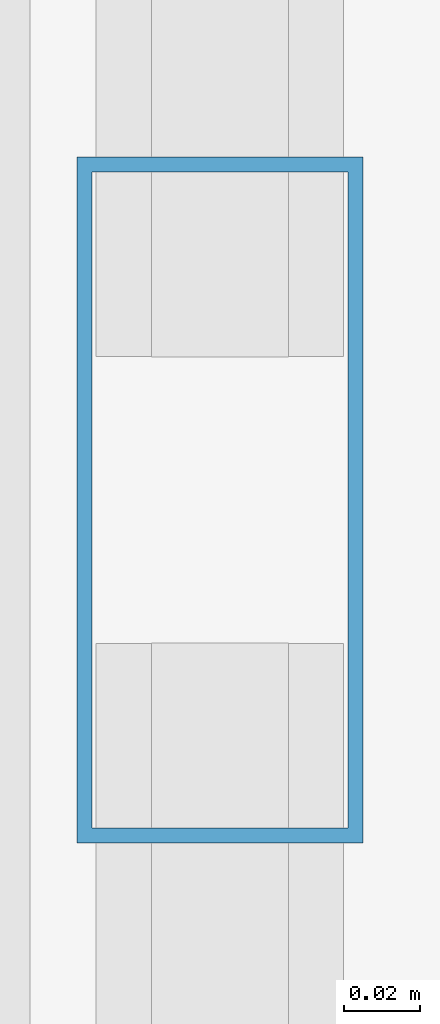
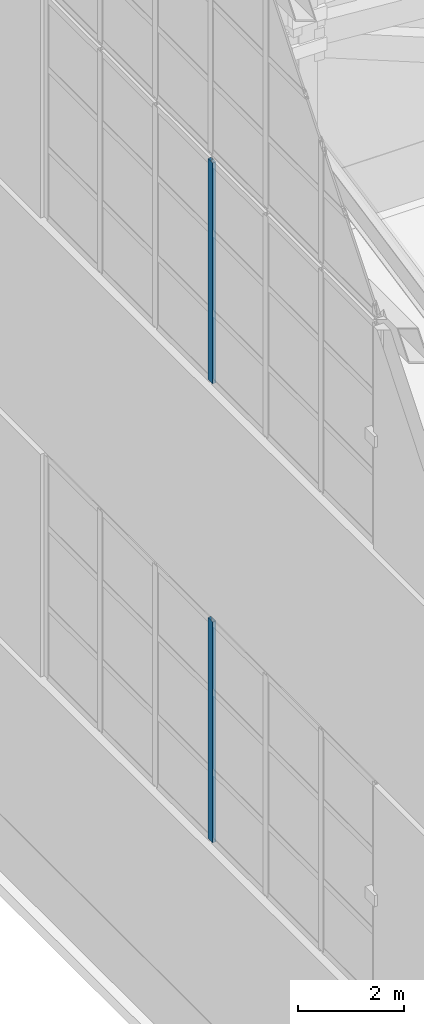
# One storey, part 11 of 47: 2 members, 2 elements without a shape of their own.
"""IFC4 building model written with IfcOpenShell, lengths in metres."""

from ifc_helpers import new_model, si_unit, direction, frame, origin, origin_2d, place, context, subcontext, project, spatial, hollow_rectangle, extrude, material, layer, layer_set, material_profile, profile_set, type_object, element, aggregate, save


model = new_model("IFC4")

# Units and contexts
model_context = context("Model", 3, precision=1e-05, world=origin(), true_north=direction((0.0, 1.0)))
body_context = subcontext(model_context, "Body", "Model", "MODEL_VIEW")
ifc_project = project(units=[si_unit("LENGTHUNIT", "METRE"), si_unit("AREAUNIT", "SQUARE_METRE"), si_unit("VOLUMEUNIT", "CUBIC_METRE"), si_unit("PLANEANGLEUNIT", "RADIAN"), si_unit("MASSUNIT", "GRAM", prefix="KILO")], contexts=[model_context])

# Site, building, storey
site_placement = place(None, origin())
site = spatial("IfcSite", under=ifc_project, at=site_placement, CompositionType="ELEMENT")
building_placement = place(site_placement, origin())
building = spatial("IfcBuilding", under=site, at=building_placement, Name="Qiaolan Cultural Towers", CompositionType="ELEMENT")
storey_placement = place(building_placement, frame((0.0, 0.0, 280.199951171875)))
storey = spatial("IfcBuildingStorey", under=building, at=storey_placement, Name="RF", CompositionType="ELEMENT", Elevation=280.199951171875)

# Curtain wall, member
ifc_material_1 = material(Name="Unitized Anodized Aluminium Curtain Wall System", Category="aluminium")
ifc_layer = layer(ifc_material_1, 0.199951171875)
ifc_layer_set = layer_set([ifc_layer], Name="Unitized Anodized Aluminium Curtain Wall System")
curtain_wall_type = type_object("IfcCurtainWallType", Name="CWS-06", PredefinedType="NOTDEFINED", material=ifc_layer_set)
curtain_wall_1_placement = place(storey_placement, origin())
curtain_wall_1 = element("IfcCurtainWall", 1, at=curtain_wall_1_placement, inside=storey, type_object=curtain_wall_type, Name="T1 Crown Tier 2 Fritted Screen Curtain Wall 7", PredefinedType="NOTDEFINED")
ifc_material_2 = material(Name="Extruded Aluminium 6063-T6", Category="aluminium")
ifc_material_profile = material_profile(ifc_material_2, hollow_rectangle(XDim=0.074951171875, YDim=0.179931640625, WallThickness=0.00390625, at=origin_2d()), Name="CWM-180x75x4")
ifc_profile_set = profile_set([ifc_material_profile], Name="Extruded Aluminium 6063-T6")
member_type = type_object("IfcMemberType", Name="CWS-06-MUL", PredefinedType="MULLION", material=ifc_profile_set)
member_1_placement = place(storey_placement, frame((14.949951171875, 34.0, 5.400146484375), z_axis=(0.0, 0.0, 1.0), x_axis=(1.0, 0.0, 0.0)))
member_1 = element("IfcMember", 2, at=member_1_placement, type_object=member_type, Name="CW-6 mullion 4", PredefinedType="MULLION", context=body_context, shape_type="SweptSolid", body=[
    extrude(hollow_rectangle(XDim=0.074951171875, YDim=0.179931640625, WallThickness=0.00390625, at=origin_2d()), origin(), (0.0, 0.0, 1.0), 5.099853515625),
])
aggregate(curtain_wall_1, [member_1])

curtain_wall_2_placement = place(storey_placement, origin())
curtain_wall_2 = element("IfcCurtainWall", 3, at=curtain_wall_2_placement, inside=storey, type_object=curtain_wall_type, Name="T1 Crown Tier 4 Fritted Screen Curtain Wall 7", PredefinedType="NOTDEFINED")
member_2_placement = place(storey_placement, frame((14.949951171875, 34.0, 16.0), z_axis=(0.0, 0.0, 1.0), x_axis=(1.0, 0.0, 0.0)))
member_2 = element("IfcMember", 4, at=member_2_placement, type_object=member_type, Name="CW-6 mullion 4", PredefinedType="MULLION", context=body_context, shape_type="SweptSolid", body=[
    extrude(hollow_rectangle(XDim=0.074951171875, YDim=0.179931640625, WallThickness=0.00390625, at=origin_2d()), origin(), (0.0, 0.0, 1.0), 5.10009765625),
])
aggregate(curtain_wall_2, [member_2])

save(model, "model.ifc")
